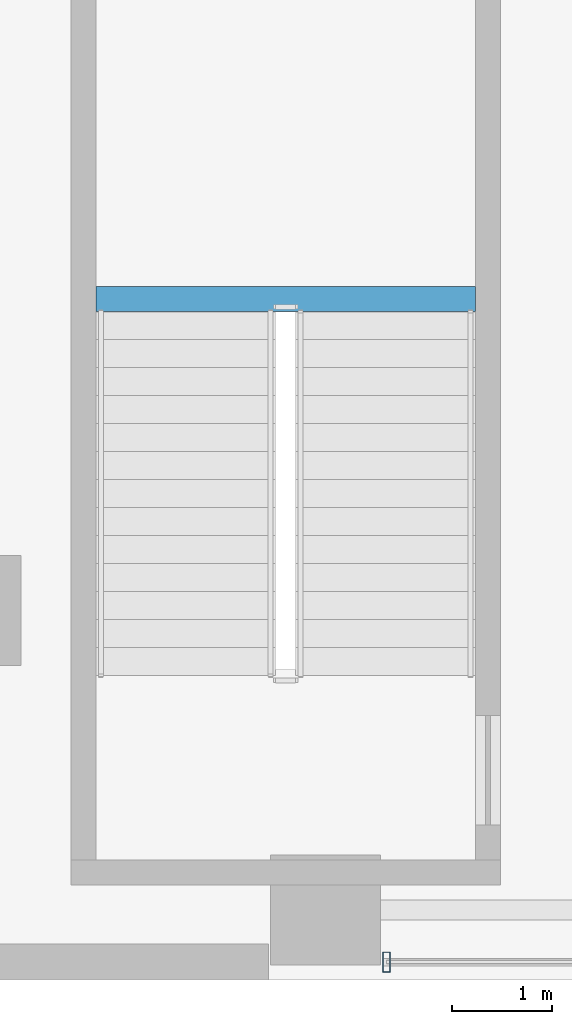
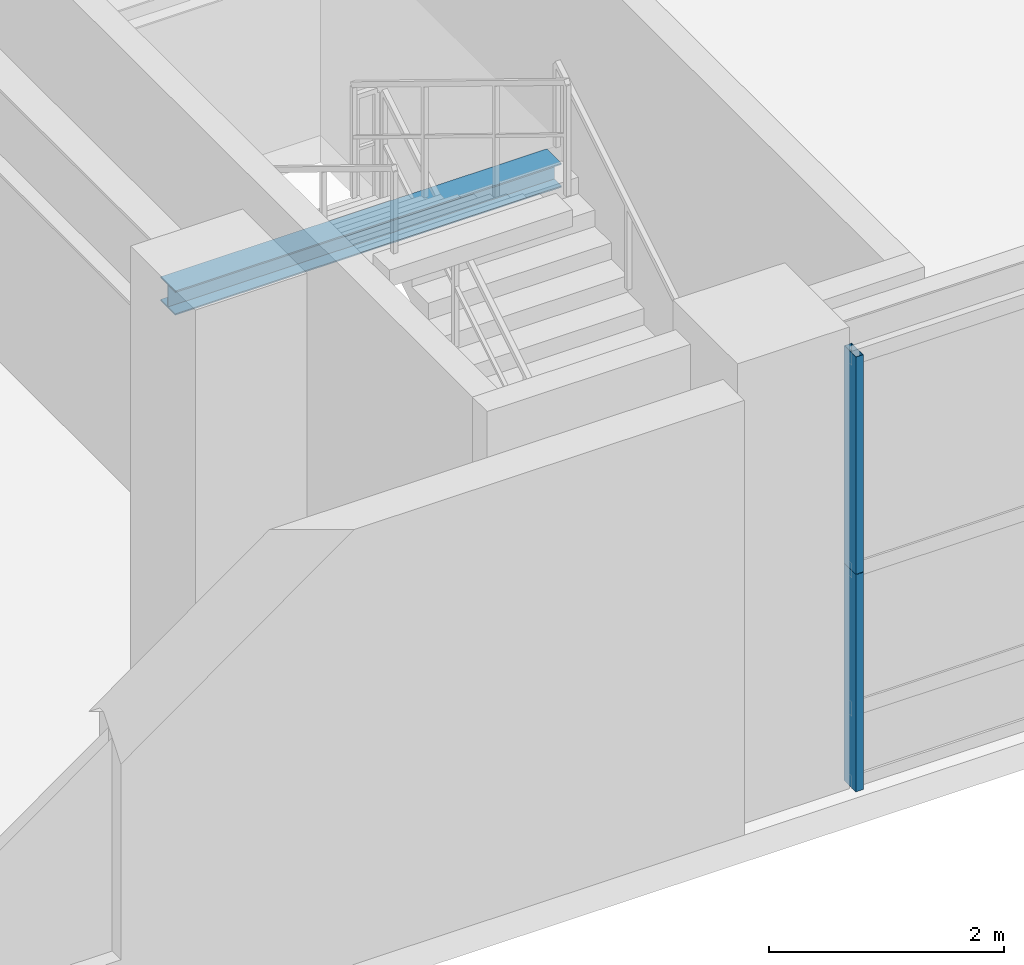
# One storey, part 4 of 39: 2 members, 1 beam, 1 element without a shape of its own.
"""IFC4 building model written with IfcOpenShell, lengths in metres."""

from ifc_helpers import new_model, si_unit, direction, frame, origin, origin_2d, place, context, subcontext, project, spatial, hollow_rectangle, i_section, extrude, source, transform, mapped, material, layer, layer_set, material_profile, profile_set, type_object, element, aggregate, save


model = new_model("IFC4")

# Units and contexts
model_context = context("Model", 3, precision=1e-05, world=origin(), true_north=direction((0.0, 1.0)))
body_context = subcontext(model_context, "Body", "Model", "MODEL_VIEW")
ifc_project = project(units=[si_unit("LENGTHUNIT", "METRE"), si_unit("AREAUNIT", "SQUARE_METRE"), si_unit("VOLUMEUNIT", "CUBIC_METRE"), si_unit("PLANEANGLEUNIT", "RADIAN"), si_unit("MASSUNIT", "GRAM", prefix="KILO"), si_unit("THERMODYNAMICTEMPERATUREUNIT", "KELVIN"), si_unit("POWERUNIT", "WATT")], contexts=[model_context])

# Site, building, storey
site_placement = place(None, origin())
site = spatial("IfcSite", under=ifc_project, at=site_placement, CompositionType="ELEMENT")
building_placement = place(site_placement, origin())
building = spatial("IfcBuilding", under=site, at=building_placement, Name="Yuzanri Waterfront Tower", CompositionType="ELEMENT")
storey_placement = place(building_placement, frame((0.0, 0.0, 15.0)))
storey = spatial("IfcBuildingStorey", under=building, at=storey_placement, Name="L04", CompositionType="ELEMENT", Elevation=15.0)

# Curtain wall, members
ifc_material_1 = material(Name="Anodized Architectural Bronze", Category="metal")
ifc_layer = layer(ifc_material_1, 0.159912109375)
ifc_layer_set = layer_set([ifc_layer], Name="Anodized Architectural Bronze")
curtain_wall_type = type_object("IfcCurtainWallType", Name="Anodized Bronze Podium Waterfront Double-Height Unitized Curtain Wall 8400", PredefinedType="NOTDEFINED", material=ifc_layer_set)
curtain_wall_placement = place(storey_placement, origin())
curtain_wall = element("IfcCurtainWall", 1, at=curtain_wall_placement, inside=storey, type_object=curtain_wall_type, Name="L04 Curtain Wall CW-L04-S1", PredefinedType="NOTDEFINED")
ifc_material_2 = material(Name="Anodized Architectural Bronze", Category="metal")
ifc_material_profile_1 = material_profile(ifc_material_2, hollow_rectangle(XDim=0.074951171875, YDim=0.199951171875, WallThickness=0.00390625, at=origin_2d()), Name="CWM 75x200")
ifc_profile_set_1 = profile_set([ifc_material_profile_1], Name="Anodized Architectural Bronze")
member_type = type_object("IfcMemberType", Name="Anodized Bronze Primary Curtain-Wall Mullion 75x200", PredefinedType="MULLION", material=ifc_profile_set_1)
shared_shape_1 = source(origin(), body_context, "Body", "SweptSolid", [
    extrude(hollow_rectangle(XDim=0.074951171875, YDim=0.199951171875, WallThickness=0.00390625, at=origin_2d()), origin(), (0.0, 0.0, 1.0), 2.258056640625),
])
member_1_placement = place(storey_placement, frame((16.110107421875, 1.97998046875, 0.0), z_axis=(0.0, 0.0, 1.0), x_axis=(1.0, 0.0, 0.0)))
member_1 = element("IfcMember", 2, at=member_1_placement, type_object=member_type, Name="CW-L04-S1 Lower Mullion 00", PredefinedType="MULLION", context=body_context, shape_type="MappedRepresentation", body=[
    mapped(shared_shape_1, transform((0.0, 0.0, 0.0), scale=1.0)),
])
member_2_placement = place(storey_placement, frame((16.110107421875, 1.97998046875, 2.261962890625), z_axis=(0.0, 0.0, 1.0), x_axis=(1.0, 0.0, 0.0)))
member_2 = element("IfcMember", 3, at=member_2_placement, type_object=member_type, Name="CW-L04-S1 Upper Mullion 00", PredefinedType="MULLION", context=body_context, shape_type="MappedRepresentation", body=[
    mapped(shared_shape_1, transform((0.0, 0.0, 0.0), scale=1.0)),
])
aggregate(curtain_wall, [member_1, member_2])

# Beam
ifc_material_3 = material(Name="Steel Q355B", Category="steel")
ifc_material_profile_2 = material_profile(ifc_material_3, i_section(OverallWidth=0.25, OverallDepth=0.25, WebThickness=0.009033203125, FlangeThickness=0.013916015625, at=origin_2d()), Name="HW 250x250x9x14")
ifc_profile_set_2 = profile_set([ifc_material_profile_2], Name="Steel Q355B")
beam_type = type_object("IfcBeamType", Name="Stair Landing Support Beam Q355B HW 250x250", PredefinedType="BEAM", material=ifc_profile_set_2)
shared_shape_2 = source(origin(), body_context, "Body", "SweptSolid", [
    extrude(i_section(OverallWidth=0.25, OverallDepth=0.25, WebThickness=0.009033203125, FlangeThickness=0.013916015625, at=origin_2d()), origin(), (0.0, 0.0, 1.0), 3.800048828125),
])
beam_placement = place(storey_placement, frame((13.199951171875, 8.6201171875, 2.074951171875), z_axis=(1.0, 0.0, 0.0), x_axis=(0.0, 1.0, 0.0)))
element("IfcBeam", 4, at=beam_placement, inside=storey, type_object=beam_type, Name="L04 Stair Landing Support Beam PST-01-L04-L1-1", PredefinedType="BEAM", context=body_context, shape_type="MappedRepresentation", body=[
    mapped(shared_shape_2, transform((0.0, 0.0, 0.0), scale=1.0)),
])

save(model, "model.ifc")
